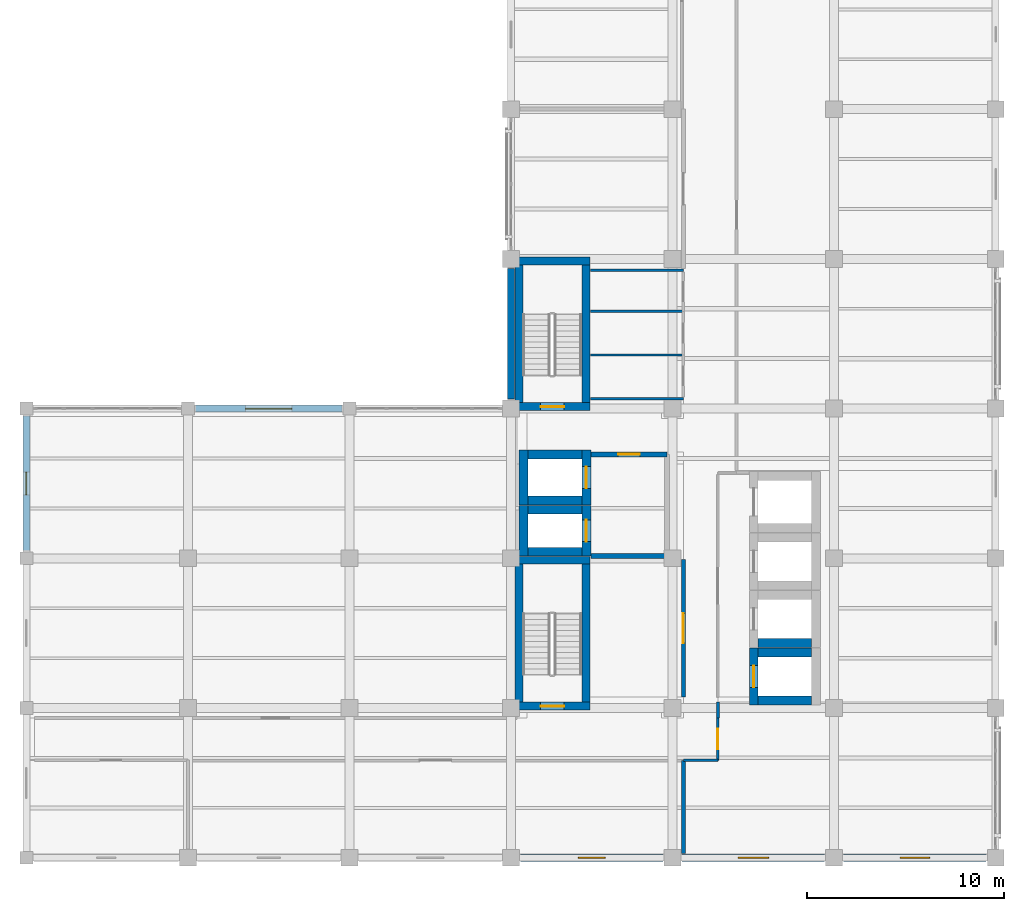
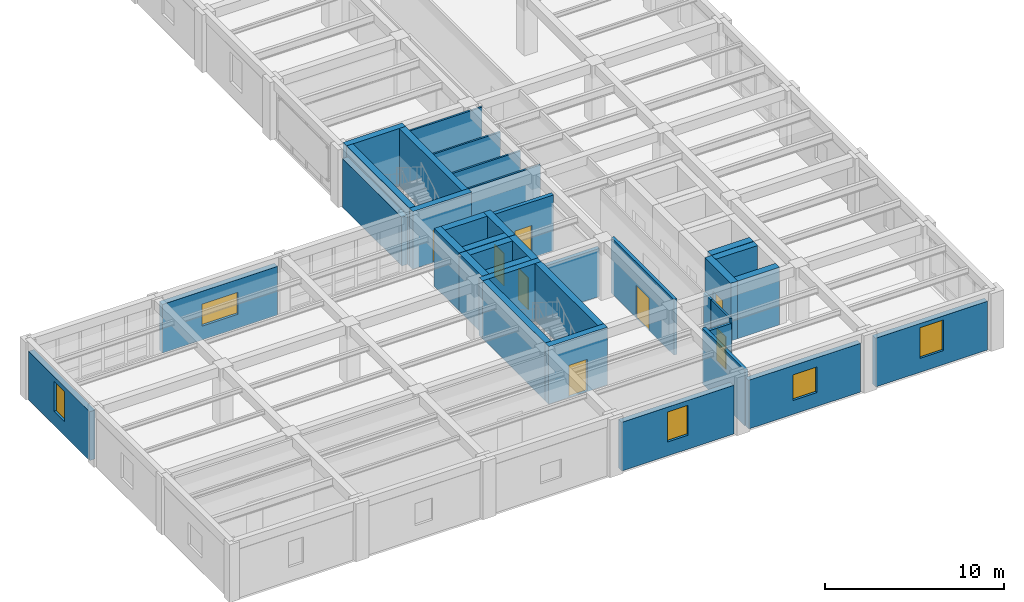
# One storey, part 9 of 17: 37 walls, 8 doors, 5 windows, 13 openings.
"""IFC4 building model written with IfcOpenShell, lengths in metres."""

from ifc_helpers import new_model, si_unit, direction, frame, frame_2d, origin, place, context, subcontext, project, spatial, rectangle, extrude, material, layer, layer_set, type_object, element, fill, save


model = new_model("IFC4")

# Units and contexts
model_context = context("Model", 3, precision=1e-05, world=origin(), true_north=direction((0.0, 1.0)))
body_context = subcontext(model_context, "Body", "Model", "MODEL_VIEW")
ifc_project = project(units=[si_unit("LENGTHUNIT", "METRE"), si_unit("AREAUNIT", "SQUARE_METRE"), si_unit("VOLUMEUNIT", "CUBIC_METRE"), si_unit("PLANEANGLEUNIT", "RADIAN"), si_unit("MASSUNIT", "GRAM", prefix="KILO")], contexts=[model_context])

# Site, building, storey
site_placement = place(None, origin())
site = spatial("IfcSite", under=ifc_project, at=site_placement, CompositionType="ELEMENT")
building_placement = place(site_placement, origin())
building = spatial("IfcBuilding", under=site, at=building_placement, Name="Qandaris Square Conservatory and Botanical Centre", CompositionType="ELEMENT")
storey_placement = place(building_placement, frame((0.0, 0.0, 28.199951171875)))
storey = spatial("IfcBuildingStorey", under=building, at=storey_placement, Name="L06", CompositionType="ELEMENT", Elevation=28.199951171875)

# Walls
ifc_material_1 = material(Name="Gypsum Plasterboard", Category="gypsum")
ifc_layer_1 = layer(ifc_material_1, 0.14990234375)
ifc_layer_set_1 = layer_set([ifc_layer_1], Name="Gypsum Plasterboard")
wall_type_1 = type_object("IfcWallType", Name="Acoustic Laboratory Partition 150mm", PredefinedType="PARTITIONING", material=ifc_layer_set_1)
wall_1_placement = place(storey_placement, frame((149.699951171875, 24.5, 0.0), z_axis=(0.0, 0.0, 1.0), x_axis=(0.0, -1.0, 0.0)))
element("IfcWall", 1, at=wall_1_placement, inside=storey, type_object=wall_type_1, Name="Interior Partition IW-L06-0252", PredefinedType="PARTITIONING", context=body_context, shape_type="SweptSolid", body=[
    extrude(rectangle(XDim=0.800048828125, YDim=0.14990234375, at=frame_2d((0.39990234375, 0.0))), origin(), (0.0, 0.0, 1.0), 3.804931640625),
])
wall_2_placement = place(storey_placement, frame((149.699951171875, 21.550048828125, 0.0), z_axis=(0.0, 0.0, 1.0), x_axis=(-1.0, 0.0, 0.0)))
element("IfcWall", 2, at=wall_2_placement, inside=storey, type_object=wall_type_1, Name="Interior Partition IW-L06-0254", PredefinedType="PARTITIONING", context=body_context, shape_type="SweptSolid", body=[
    extrude(rectangle(XDim=1.75, YDim=0.14990234375, at=frame_2d((0.875, 0.0))), origin(), (0.0, 0.0, 1.0), 3.51513671875),
])

# Wall, opening, window
ifc_material_2 = material(Name="Precast concrete C40/50", Category="concrete")
ifc_layer_2 = layer(ifc_material_2, 0.360107421875)
ifc_layer_set_2 = layer_set([ifc_layer_2], Name="Precast concrete C40/50")
wall_type_2 = type_object("IfcWallType", Name="Architectural Precast Cladding Wall 360mm", PredefinedType="SOLIDWALL", material=ifc_layer_set_2)
wall_3_placement = place(storey_placement, frame((139.68505859375, 16.60009765625, 0.0), z_axis=(0.0, 0.0, 1.0), x_axis=(1.0, 0.0, 0.0)))
wall_3 = element("IfcWall", 3, at=wall_3_placement, inside=storey, type_object=wall_type_2, Name="Exterior Wall EW-TWR-L06-1-4", PredefinedType="SOLIDWALL", context=body_context, shape_type="SweptSolid", body=[
    extrude(rectangle(XDim=7.22998046875, YDim=0.360107421875, at=frame_2d((3.614990234375, 0.0))), origin(), (0.0, 0.0, 1.0), 3.324951171875),
])
opening_1_placement = place(wall_3_placement, frame((2.93994140625, 0.0, 0.949951171875)))
opening_1 = element("IfcOpeningElement", 4, at=opening_1_placement, cuts=wall_3, Name="Opening WN-24", PredefinedType="OPENING", context=body_context, shape_type="SweptSolid", body=[
    extrude(rectangle(XDim=1.35009765625, YDim=2.050048828125, at=frame_2d((0.675048828125, 1.02490234375))), frame((0.0, 0.19189453125, 0.0), z_axis=(0.0, -1.0, 0.0), x_axis=(1.0, 0.0, 0.0)), (0.0, 0.0, 1.0), 0.384033203125),
])
ifc_material_3 = material(Name="Tempered Low-E Glass", Category="glass")
window_type_1 = type_object("IfcWindowType", Name="Solar Control Window 1350x2050", PartitioningType="SINGLE_PANEL", PredefinedType="WINDOW", material=ifc_material_3)
window_1_placement = place(opening_1_placement, origin())
window_1 = element("IfcWindow", 5, at=window_1_placement, inside=storey, type_object=window_type_1, Name="Window EW-TWR-L06-1-4", OverallHeight=2.050048828125, OverallWidth=1.35009765625, PartitioningType="SINGLE_PANEL", PredefinedType="WINDOW", context=body_context, shape_type="SweptSolid", body=[
    extrude(rectangle(XDim=1.35009765625, YDim=2.050048828125, at=frame_2d((0.675048828125, 1.02490234375))), frame((0.0, 0.030029296875, 0.0), z_axis=(0.0, -1.0, 0.0), x_axis=(1.0, 0.0, 0.0)), (0.0, 0.0, 1.0), 0.06005859375),
])
fill(opening_1, window_1)

wall_4_placement = place(storey_placement, frame((147.885009765625, 16.60009765625, 0.0), z_axis=(0.0, 0.0, 1.0), x_axis=(1.0, 0.0, 0.0)))
wall_4 = element("IfcWall", 6, at=wall_4_placement, inside=storey, type_object=wall_type_2, Name="Exterior Wall EW-TWR-L06-1-5", PredefinedType="SOLIDWALL", context=body_context, shape_type="SweptSolid", body=[
    extrude(rectangle(XDim=7.22998046875, YDim=0.360107421875, at=frame_2d((3.614990234375, 0.0))), origin(), (0.0, 0.0, 1.0), 3.324951171875),
])
opening_2_placement = place(wall_4_placement, frame((2.840087890625, 0.0, 0.949951171875)))
opening_2 = element("IfcOpeningElement", 7, at=opening_2_placement, cuts=wall_4, Name="Opening WN-27", PredefinedType="OPENING", context=body_context, shape_type="SweptSolid", body=[
    extrude(rectangle(XDim=1.550048828125, YDim=1.75, at=frame_2d((0.77490234375, 0.875))), frame((0.0, 0.19189453125, 0.0), z_axis=(0.0, -1.0, 0.0), x_axis=(1.0, 0.0, 0.0)), (0.0, 0.0, 1.0), 0.384033203125),
])
window_type_2 = type_object("IfcWindowType", Name="Solar Control Window 1550x1750", PartitioningType="DOUBLE_PANEL_VERTICAL", PredefinedType="WINDOW", material=ifc_material_3)
window_2_placement = place(opening_2_placement, origin())
window_2 = element("IfcWindow", 8, at=window_2_placement, inside=storey, type_object=window_type_2, Name="Window EW-TWR-L06-1-5", OverallHeight=1.75, OverallWidth=1.550048828125, PartitioningType="DOUBLE_PANEL_VERTICAL", PredefinedType="WINDOW", context=body_context, shape_type="SweptSolid", body=[
    extrude(rectangle(XDim=1.550048828125, YDim=1.75, at=frame_2d((0.77490234375, 0.875))), frame((0.0, 0.030029296875, 0.0), z_axis=(0.0, -1.0, 0.0), x_axis=(1.0, 0.0, 0.0)), (0.0, 0.0, 1.0), 0.06005859375),
])
fill(opening_2, window_2)

wall_5_placement = place(storey_placement, frame((156.0849609375, 16.60009765625, 0.0), z_axis=(0.0, 0.0, 1.0), x_axis=(1.0, 0.0, 0.0)))
wall_5 = element("IfcWall", 9, at=wall_5_placement, inside=storey, type_object=wall_type_2, Name="Exterior Wall EW-TWR-L06-1-6", PredefinedType="SOLIDWALL", context=body_context, shape_type="SweptSolid", body=[
    extrude(rectangle(XDim=7.22998046875, YDim=0.360107421875, at=frame_2d((3.614990234375, 0.0))), origin(), (0.0, 0.0, 1.0), 3.324951171875),
])
opening_3_placement = place(wall_5_placement, frame((2.864990234375, 0.0, 0.949951171875)))
opening_3 = element("IfcOpeningElement", 10, at=opening_3_placement, cuts=wall_5, Name="Opening WN-02", PredefinedType="OPENING", context=body_context, shape_type="SweptSolid", body=[
    extrude(rectangle(XDim=1.5, YDim=2.10009765625, at=frame_2d((0.75, 1.050048828125))), frame((0.0, 0.19189453125, 0.0), z_axis=(0.0, -1.0, 0.0), x_axis=(1.0, 0.0, 0.0)), (0.0, 0.0, 1.0), 0.384033203125),
])
window_type_3 = type_object("IfcWindowType", Name="Deep-Set Paired Research Window 1500x2100", PartitioningType="DOUBLE_PANEL_VERTICAL", PredefinedType="WINDOW", material=ifc_material_3)
window_3_placement = place(opening_3_placement, origin())
window_3 = element("IfcWindow", 11, at=window_3_placement, inside=storey, type_object=window_type_3, Name="Window EW-TWR-L06-1-6", OverallHeight=2.10009765625, OverallWidth=1.5, PartitioningType="DOUBLE_PANEL_VERTICAL", PredefinedType="WINDOW", context=body_context, shape_type="SweptSolid", body=[
    extrude(rectangle(XDim=1.5, YDim=2.10009765625, at=frame_2d((0.75, 1.050048828125))), frame((0.0, 0.030029296875, 0.0), z_axis=(0.0, -1.0, 0.0), x_axis=(1.0, 0.0, 0.0)), (0.0, 0.0, 1.0), 0.06005859375),
])
fill(opening_3, window_3)

# Wall
wall_6_placement = place(storey_placement, frame((139.199951171875, 46.514892578125, 0.0), z_axis=(0.0, 0.0, 1.0), x_axis=(0.0, -1.0, 0.0)))
element("IfcWall", 12, at=wall_6_placement, inside=storey, type_object=wall_type_2, Name="Exterior Wall EW-TWR-L06-4-5", PredefinedType="SOLIDWALL", context=body_context, shape_type="SweptSolid", body=[
    extrude(rectangle(XDim=6.6298828125, YDim=0.360107421875, at=frame_2d((3.31494140625, 0.0))), origin(), (0.0, 0.0, 1.0), 3.324951171875),
])

# Wall, opening, window
wall_7_placement = place(storey_placement, frame((130.614990234375, 39.39990234375, 0.0), z_axis=(0.0, 0.0, 1.0), x_axis=(-1.0, 0.0, 0.0)))
wall_7 = element("IfcWall", 13, at=wall_7_placement, inside=storey, type_object=wall_type_2, Name="Exterior Wall EW-TWR-L06-5-2", PredefinedType="SOLIDWALL", context=body_context, shape_type="SweptSolid", body=[
    extrude(rectangle(XDim=7.429931640625, YDim=0.360107421875, at=frame_2d((3.71484375, 0.0))), origin(), (0.0, 0.0, 1.0), 3.324951171875),
])
opening_4_placement = place(wall_7_placement, frame((2.5400390625, 0.0, 0.949951171875)))
opening_4 = element("IfcOpeningElement", 14, at=opening_4_placement, cuts=wall_7, Name="Opening WN-38", PredefinedType="OPENING", context=body_context, shape_type="SweptSolid", body=[
    extrude(rectangle(XDim=2.35009765625, YDim=1.5, at=frame_2d((1.175048828125, 0.75))), frame((0.0, 0.19189453125, 0.0), z_axis=(0.0, -1.0, 0.0), x_axis=(1.0, 0.0, 0.0)), (0.0, 0.0, 1.0), 0.384033203125),
])
window_type_4 = type_object("IfcWindowType", Name="Solar Control Window 2350x1500", PartitioningType="DOUBLE_PANEL_VERTICAL", PredefinedType="WINDOW", material=ifc_material_3)
window_4_placement = place(opening_4_placement, origin())
window_4 = element("IfcWindow", 15, at=window_4_placement, inside=storey, type_object=window_type_4, Name="Window EW-TWR-L06-5-2", OverallHeight=1.5, OverallWidth=2.35009765625, PartitioningType="DOUBLE_PANEL_VERTICAL", PredefinedType="WINDOW", context=body_context, shape_type="SweptSolid", body=[
    extrude(rectangle(XDim=2.35009765625, YDim=1.5, at=frame_2d((1.175048828125, 0.75))), frame((0.0, 0.030029296875, 0.0), z_axis=(0.0, -1.0, 0.0), x_axis=(1.0, 0.0, 0.0)), (0.0, 0.0, 1.0), 0.06005859375),
])
fill(opening_4, window_4)

wall_8_placement = place(storey_placement, frame((114.60009765625, 39.014892578125, 0.0), z_axis=(0.0, 0.0, 1.0), x_axis=(0.0, -1.0, 0.0)))
wall_8 = element("IfcWall", 16, at=wall_8_placement, inside=storey, type_object=wall_type_2, Name="Exterior Wall EW-TWR-L06-6-1", PredefinedType="SOLIDWALL", context=body_context, shape_type="SweptSolid", body=[
    extrude(rectangle(XDim=6.829833984375, YDim=0.360107421875, at=frame_2d((3.4150390625, 0.0))), origin(), (0.0, 0.0, 1.0), 3.324951171875),
])
opening_5_placement = place(wall_8_placement, frame((2.840087890625, 0.0, 0.949951171875)))
opening_5 = element("IfcOpeningElement", 17, at=opening_5_placement, cuts=wall_8, Name="Opening WN-20", PredefinedType="OPENING", context=body_context, shape_type="SweptSolid", body=[
    extrude(rectangle(XDim=1.14990234375, YDim=2.050048828125, at=frame_2d((0.574951171875, 1.02490234375))), frame((0.0, 0.19189453125, 0.0), z_axis=(0.0, -1.0, 0.0), x_axis=(1.0, 0.0, 0.0)), (0.0, 0.0, 1.0), 0.384033203125),
])
window_type_5 = type_object("IfcWindowType", Name="Solar Control Window 1150x2050", PartitioningType="SINGLE_PANEL", PredefinedType="WINDOW", material=ifc_material_3)
window_5_placement = place(opening_5_placement, origin())
window_5 = element("IfcWindow", 18, at=window_5_placement, inside=storey, type_object=window_type_5, Name="Window EW-TWR-L06-6-1", OverallHeight=2.050048828125, OverallWidth=1.14990234375, PartitioningType="SINGLE_PANEL", PredefinedType="WINDOW", context=body_context, shape_type="SweptSolid", body=[
    extrude(rectangle(XDim=1.14990234375, YDim=2.050048828125, at=frame_2d((0.574951171875, 1.02490234375))), frame((0.0, 0.030029296875, 0.0), z_axis=(0.0, -1.0, 0.0), x_axis=(1.0, 0.0, 0.0)), (0.0, 0.0, 1.0), 0.06005859375),
])
fill(opening_5, window_5)

# Wall, opening, door
ifc_material_4 = material(Name="Concrete C40/50", Category="concrete")
ifc_layer_3 = layer(ifc_material_4, 0.25)
ifc_layer_set_3 = layer_set([ifc_layer_3], Name="Concrete C40/50")
wall_type_3 = type_object("IfcWallType", Name="Firefighting Lobby Compartment Wall 250mm", PredefinedType="SOLIDWALL", material=ifc_layer_set_3)
wall_9_placement = place(storey_placement, frame((143.25, 37.074951171875, 0.0), z_axis=(0.0, 0.0, 1.0), x_axis=(1.0, 0.0, 0.0)))
wall_9 = element("IfcWall", 19, at=wall_9_placement, inside=storey, type_object=wall_type_3, Name="Firefighting Lobby Wall North (L06)", PredefinedType="SOLIDWALL", context=body_context, shape_type="SweptSolid", body=[
    extrude(rectangle(XDim=3.875, YDim=0.25, at=frame_2d((1.9375, 0.0))), origin(), (0.0, 0.0, 1.0), 3.804931640625),
])
opening_6_placement = place(wall_9_placement, frame((1.387451171875, 0.0, 0.0)))
opening_6 = element("IfcOpeningElement", 20, at=opening_6_placement, cuts=wall_9, Name="Opening D-FFL", PredefinedType="OPENING", context=body_context, shape_type="SweptSolid", body=[
    extrude(rectangle(XDim=1.10009765625, YDim=2.199951171875, at=frame_2d((0.550048828125, 1.10009765625))), frame((0.0, 0.136962890625, 0.0), z_axis=(0.0, -1.0, 0.0), x_axis=(1.0, 0.0, 0.0)), (0.0, 0.0, 1.0), 0.27392578125),
])
ifc_material_5 = material(Name="Steel S355", Category="steel")
door_type_1 = type_object("IfcDoorType", Name="Firefighting Lobby Smoke-Seal Door 1100x2200", OperationType="NOTDEFINED", PredefinedType="DOOR", material=ifc_material_5)
door_1_placement = place(opening_6_placement, origin())
door_1 = element("IfcDoor", 21, at=door_1_placement, inside=storey, type_object=door_type_1, Name="DR-0222 Firefighting Lobby Door (L06)", OperationType="SINGLE_SWING_LEFT", OverallHeight=2.199951171875, OverallWidth=1.10009765625, PredefinedType="DOOR", context=body_context, shape_type="SweptSolid", body=[
    extrude(rectangle(XDim=1.10009765625, YDim=2.199951171875, at=frame_2d((0.550048828125, 1.10009765625))), frame((0.0, 0.02490234375, 0.0), z_axis=(0.0, -1.0, 0.0), x_axis=(1.0, 0.0, 0.0)), (0.0, 0.0, 1.0), 0.050048828125),
])
fill(opening_6, door_1)

# Wall
wall_10_placement = place(storey_placement, frame((143.25, 31.925048828125, 0.0), z_axis=(0.0, 0.0, 1.0), x_axis=(1.0, 0.0, 0.0)))
element("IfcWall", 22, at=wall_10_placement, inside=storey, type_object=wall_type_3, Name="Firefighting Lobby Wall South (L06)", PredefinedType="SOLIDWALL", context=body_context, shape_type="SweptSolid", body=[
    extrude(rectangle(XDim=3.875, YDim=0.25, at=frame_2d((1.9375, 0.0))), origin(), (0.0, 0.0, 1.0), 3.275146484375),
])

# Wall, opening, door
ifc_layer_4 = layer(ifc_material_4, 0.199951171875)
ifc_layer_set_4 = layer_set([ifc_layer_4], Name="Concrete C40/50")
wall_type_4 = type_object("IfcWallType", Name="Herbarium & Plant Compartment Wall 200mm", PredefinedType="PARTITIONING", material=ifc_layer_set_4)
wall_11_placement = place(storey_placement, frame((147.949951171875, 31.75, 0.0), z_axis=(0.0, 0.0, 1.0), x_axis=(0.0, -1.0, 0.0)))
wall_11 = element("IfcWall", 23, at=wall_11_placement, inside=storey, type_object=wall_type_4, Name="Interior Partition IW-L06-0241", PredefinedType="PARTITIONING", context=body_context, shape_type="SweptSolid", body=[
    extrude(rectangle(XDim=7.0, YDim=0.199951171875, at=frame_2d((3.5, 0.0))), origin(), (0.0, 0.0, 1.0), 3.804931640625),
])
opening_7_placement = place(wall_11_placement, frame((2.75, 0.0, 0.0)))
opening_7 = element("IfcOpeningElement", 24, at=opening_7_placement, cuts=wall_11, Name="Opening D-PLT1", PredefinedType="OPENING", context=body_context, shape_type="SweptSolid", body=[
    extrude(rectangle(XDim=1.5, YDim=2.199951171875, at=frame_2d((0.75, 1.10009765625))), frame((0.0, 0.11181640625, 0.0), z_axis=(0.0, -1.0, 0.0), x_axis=(1.0, 0.0, 0.0)), (0.0, 0.0, 1.0), 0.223876953125),
])
door_type_2 = type_object("IfcDoorType", Name="Plant & Riser Double Fire Door 1500x2200", OperationType="DOUBLE_DOOR_SINGLE_SWING", PredefinedType="DOOR", material=ifc_material_5)
door_2_placement = place(opening_7_placement, origin())
door_2 = element("IfcDoor", 25, at=door_2_placement, inside=storey, type_object=door_type_2, Name="DR-0232 Electrical and Telecom Riser Room L06 Door", OperationType="DOUBLE_DOOR_SINGLE_SWING", OverallHeight=2.199951171875, OverallWidth=1.5, PredefinedType="DOOR", context=body_context, shape_type="SweptSolid", body=[
    extrude(rectangle(XDim=1.5, YDim=2.199951171875, at=frame_2d((0.75, 1.10009765625))), frame((0.0, 0.02490234375, 0.0), z_axis=(0.0, -1.0, 0.0), x_axis=(1.0, 0.0, 0.0)), (0.0, 0.0, 1.0), 0.050048828125),
])
fill(opening_7, door_2)

# Walls
wall_12_placement = place(storey_placement, frame((147.949951171875, 21.550048828125, 0.0), z_axis=(0.0, 0.0, 1.0), x_axis=(0.0, -1.0, 0.0)))
element("IfcWall", 26, at=wall_12_placement, inside=storey, type_object=wall_type_4, Name="Interior Partition IW-L06-0262", PredefinedType="PARTITIONING", context=body_context, shape_type="SweptSolid", body=[
    extrude(rectangle(XDim=4.739990234375, YDim=0.199951171875, at=frame_2d((2.3701171875, 0.0))), origin(), (0.0, 0.0, 1.0), 3.804931640625),
])
ifc_material_6 = material(Name="Concrete C50/60", Category="concrete")
ifc_layer_5 = layer(ifc_material_6, 0.449951171875)
ifc_layer_set_5 = layer_set([ifc_layer_5], Name="Concrete C50/60")
wall_type_5 = type_object("IfcWallType", Name="RC Coupled Core Shear Wall 450mm", PredefinedType="SHEAR", material=ifc_layer_set_5)
for number, where, z_axis, x_axis, name in (
    (27, (140.06005859375, 32.135009765625, 0.0), (0.0, 0.0, 1.0), (1.0, 0.0, 0.0), "Lift FFL1 Shaft Wall South (L06)"),
    (28, (140.06005859375, 34.264892578125, 0.0), (0.0, 0.0, 1.0), (1.0, 0.0, 0.0), "Lift FFL1 Shaft Wall North (L06)"),
):
    element("IfcWall", number, at=place(storey_placement, frame(where, z_axis=z_axis, x_axis=x_axis)), inside=storey, type_object=wall_type_5, Name=name, PredefinedType="SHEAR", context=body_context, shape_type="SweptSolid", body=[
        extrude(rectangle(XDim=2.739990234375, YDim=0.449951171875, at=frame_2d((1.3701171875, 0.0))), origin(), (0.0, 0.0, 1.0), 3.93994140625),
    ])
wall_13_placement = place(storey_placement, frame((139.8349609375, 31.909912109375, 0.0), z_axis=(0.0, 0.0, 1.0), x_axis=(0.0, 1.0, 0.0)))
element("IfcWall", 29, at=wall_13_placement, inside=storey, type_object=wall_type_5, Name="Lift FFL1 Shaft Wall West (L06)", PredefinedType="SHEAR", context=body_context, shape_type="SweptSolid", body=[
    extrude(rectangle(XDim=2.580078125, YDim=0.449951171875, at=frame_2d((1.2900390625, 0.0))), origin(), (0.0, 0.0, 1.0), 3.93994140625),
])

# Wall, opening, door
wall_14_placement = place(storey_placement, frame((143.02490234375, 31.909912109375, 0.0), z_axis=(0.0, 0.0, 1.0), x_axis=(0.0, 1.0, 0.0)))
wall_14 = element("IfcWall", 30, at=wall_14_placement, inside=storey, type_object=wall_type_5, Name="Lift FFL1 Shaft Wall East (L06)", PredefinedType="SHEAR", context=body_context, shape_type="SweptSolid", body=[
    extrude(rectangle(XDim=2.580078125, YDim=0.449951171875, at=frame_2d((1.2900390625, 0.0))), origin(), (0.0, 0.0, 1.0), 3.93994140625),
])
opening_8_placement = place(wall_14_placement, frame((0.739990234375, 0.0, 0.0)))
opening_8 = element("IfcOpeningElement", 31, at=opening_8_placement, cuts=wall_14, Name="Opening LD-FFL", PredefinedType="OPENING", context=body_context, shape_type="SweptSolid", body=[
    extrude(rectangle(XDim=1.10009765625, YDim=2.199951171875, at=frame_2d((0.550048828125, 1.10009765625))), frame((0.0, 0.23681640625, 0.0), z_axis=(0.0, -1.0, 0.0), x_axis=(1.0, 0.0, 0.0)), (0.0, 0.0, 1.0), 0.473876953125),
])
door_type_3 = type_object("IfcDoorType", Name="Firefighting Lift Sliding Landing Door 1100x2200", OperationType="DOUBLE_DOOR_SLIDING", PredefinedType="DOOR", material=ifc_material_5)
door_3_placement = place(opening_8_placement, origin())
door_3 = element("IfcDoor", 32, at=door_3_placement, inside=storey, type_object=door_type_3, Name="DR-0239 Lift FFL1 Landing Door (L06)", OperationType="DOUBLE_DOOR_SLIDING", OverallHeight=2.199951171875, OverallWidth=1.10009765625, PredefinedType="DOOR", context=body_context, shape_type="SweptSolid", body=[
    extrude(rectangle(XDim=1.10009765625, YDim=2.199951171875, at=frame_2d((0.550048828125, 1.10009765625))), frame((0.0, 0.02490234375, 0.0), z_axis=(0.0, -1.0, 0.0), x_axis=(1.0, 0.0, 0.0)), (0.0, 0.0, 1.0), 0.050048828125),
])
fill(opening_8, door_3)

# Walls
for number, where, z_axis, x_axis, name in (
    (33, (140.06005859375, 34.735107421875, 0.0), (0.0, 0.0, 1.0), (1.0, 0.0, 0.0), "Lift FFL2 Shaft Wall South (L06)"),
    (34, (140.06005859375, 37.06494140625, 0.0), (0.0, 0.0, 1.0), (1.0, 0.0, 0.0), "Lift FFL2 Shaft Wall North (L06)"),
):
    element("IfcWall", number, at=place(storey_placement, frame(where, z_axis=z_axis, x_axis=x_axis)), inside=storey, type_object=wall_type_5, Name=name, PredefinedType="SHEAR", context=body_context, shape_type="SweptSolid", body=[
        extrude(rectangle(XDim=2.739990234375, YDim=0.449951171875, at=frame_2d((1.3701171875, 0.0))), origin(), (0.0, 0.0, 1.0), 3.93994140625),
    ])
wall_15_placement = place(storey_placement, frame((139.8349609375, 34.510009765625, 0.0), z_axis=(0.0, 0.0, 1.0), x_axis=(0.0, 1.0, 0.0)))
element("IfcWall", 35, at=wall_15_placement, inside=storey, type_object=wall_type_5, Name="Lift FFL2 Shaft Wall West (L06)", PredefinedType="SHEAR", context=body_context, shape_type="SweptSolid", body=[
    extrude(rectangle(XDim=2.780029296875, YDim=0.449951171875, at=frame_2d((1.39013671875, 0.0))), origin(), (0.0, 0.0, 1.0), 3.93994140625),
])

# Wall, opening, door
wall_16_placement = place(storey_placement, frame((143.02490234375, 34.510009765625, 0.0), z_axis=(0.0, 0.0, 1.0), x_axis=(0.0, 1.0, 0.0)))
wall_16 = element("IfcWall", 36, at=wall_16_placement, inside=storey, type_object=wall_type_5, Name="Lift FFL2 Shaft Wall East (L06)", PredefinedType="SHEAR", context=body_context, shape_type="SweptSolid", body=[
    extrude(rectangle(XDim=2.780029296875, YDim=0.449951171875, at=frame_2d((1.39013671875, 0.0))), origin(), (0.0, 0.0, 1.0), 3.93994140625),
])
opening_9_placement = place(wall_16_placement, frame((0.840087890625, 0.0, 0.0)))
opening_9 = element("IfcOpeningElement", 37, at=opening_9_placement, cuts=wall_16, Name="Opening LD-FFL", PredefinedType="OPENING", context=body_context, shape_type="SweptSolid", body=[
    extrude(rectangle(XDim=1.10009765625, YDim=2.199951171875, at=frame_2d((0.550048828125, 1.10009765625))), frame((0.0, 0.23681640625, 0.0), z_axis=(0.0, -1.0, 0.0), x_axis=(1.0, 0.0, 0.0)), (0.0, 0.0, 1.0), 0.473876953125),
])
door_4_placement = place(opening_9_placement, origin())
door_4 = element("IfcDoor", 38, at=door_4_placement, inside=storey, type_object=door_type_3, Name="DR-0240 Lift FFL2 Landing Door (L06)", OperationType="DOUBLE_DOOR_SLIDING", OverallHeight=2.199951171875, OverallWidth=1.10009765625, PredefinedType="DOOR", context=body_context, shape_type="SweptSolid", body=[
    extrude(rectangle(XDim=1.10009765625, YDim=2.199951171875, at=frame_2d((0.550048828125, 1.10009765625))), frame((0.0, 0.02490234375, 0.0), z_axis=(0.0, -1.0, 0.0), x_axis=(1.0, 0.0, 0.0)), (0.0, 0.0, 1.0), 0.050048828125),
])
fill(opening_9, door_4)

# Walls
for number, where, z_axis, x_axis, name in (
    (39, (151.75, 24.574951171875, 0.0), (0.0, 0.0, 1.0), (1.0, 0.0, 0.0), "Lift PL1 Shaft Wall South (L06)"),
    (40, (151.75, 27.02490234375, 0.0), (0.0, 0.0, 1.0), (1.0, 0.0, 0.0), "Lift PL1 Shaft Wall North (L06)"),
):
    element("IfcWall", number, at=place(storey_placement, frame(where, z_axis=z_axis, x_axis=x_axis)), inside=storey, type_object=wall_type_5, Name=name, PredefinedType="SHEAR", context=body_context, shape_type="SweptSolid", body=[
        extrude(rectangle(XDim=2.699951171875, YDim=0.449951171875, at=frame_2d((1.35009765625, 0.0))), origin(), (0.0, 0.0, 1.0), 3.93994140625),
    ])

# Wall, opening, door
wall_17_placement = place(storey_placement, frame((151.52490234375, 24.35009765625, 0.0), z_axis=(0.0, 0.0, 1.0), x_axis=(0.0, 1.0, 0.0)))
wall_17 = element("IfcWall", 41, at=wall_17_placement, inside=storey, type_object=wall_type_5, Name="Lift PL1 Shaft Wall West (L06)", PredefinedType="SHEAR", context=body_context, shape_type="SweptSolid", body=[
    extrude(rectangle(XDim=2.89990234375, YDim=0.449951171875, at=frame_2d((1.449951171875, 0.0))), origin(), (0.0, 0.0, 1.0), 3.93994140625),
])
opening_10_placement = place(wall_17_placement, frame((0.89990234375, 0.0, 0.0)))
opening_10 = element("IfcOpeningElement", 42, at=opening_10_placement, cuts=wall_17, Name="Opening LD-PAX", PredefinedType="OPENING", context=body_context, shape_type="SweptSolid", body=[
    extrude(rectangle(XDim=1.10009765625, YDim=2.199951171875, at=frame_2d((0.550048828125, 1.10009765625))), frame((0.0, 0.23681640625, 0.0), z_axis=(0.0, -1.0, 0.0), x_axis=(1.0, 0.0, 0.0)), (0.0, 0.0, 1.0), 0.473876953125),
])
ifc_material_7 = material(Name="Anodised Aluminium", Category="aluminium")
door_type_4 = type_object("IfcDoorType", Name="Passenger Lift Sliding Landing Door 1100x2200", OperationType="DOUBLE_DOOR_SLIDING", PredefinedType="DOOR", material=ifc_material_7)
door_5_placement = place(opening_10_placement, origin())
door_5 = element("IfcDoor", 43, at=door_5_placement, inside=storey, type_object=door_type_4, Name="DR-0242 Lift PL1 Landing Door (L06)", OperationType="DOUBLE_DOOR_SLIDING", OverallHeight=2.199951171875, OverallWidth=1.10009765625, PredefinedType="DOOR", context=body_context, shape_type="SweptSolid", body=[
    extrude(rectangle(XDim=1.10009765625, YDim=2.199951171875, at=frame_2d((0.550048828125, 1.10009765625))), frame((0.0, 0.02490234375, 0.0), z_axis=(0.0, -1.0, 0.0), x_axis=(1.0, 0.0, 0.0)), (0.0, 0.0, 1.0), 0.050048828125),
])
fill(opening_10, door_5)

# Wall
wall_18_placement = place(storey_placement, frame((151.75, 27.4951171875, 0.0), z_axis=(0.0, 0.0, 1.0), x_axis=(1.0, 0.0, 0.0)))
element("IfcWall", 44, at=wall_18_placement, inside=storey, type_object=wall_type_5, Name="Lift PL2 Shaft Wall South (L06)", PredefinedType="SHEAR", context=body_context, shape_type="SweptSolid", body=[
    extrude(rectangle(XDim=2.699951171875, YDim=0.449951171875, at=frame_2d((1.35009765625, 0.0))), origin(), (0.0, 0.0, 1.0), 3.93994140625),
])

# Wall, opening, door
ifc_layer_6 = layer(ifc_material_6, 0.39990234375)
ifc_layer_set_6 = layer_set([ifc_layer_6], Name="Concrete C50/60")
wall_type_6 = type_object("IfcWallType", Name="RC Stair Core Shear Wall 400mm", PredefinedType="SHEAR", material=ifc_layer_set_6)
wall_19_placement = place(storey_placement, frame((139.39990234375, 24.300048828125, 0.0), z_axis=(0.0, 0.0, 1.0), x_axis=(1.0, 0.0, 0.0)))
wall_19 = element("IfcWall", 45, at=wall_19_placement, inside=storey, type_object=wall_type_6, Name="ST-1 Core Shear Wall South (L06)", PredefinedType="SHEAR", context=body_context, shape_type="SweptSolid", body=[
    extrude(rectangle(XDim=3.800048828125, YDim=0.39990234375, at=frame_2d((1.89990234375, 0.0))), origin(), (0.0, 0.0, 1.0), 3.93994140625),
])
opening_11_placement = place(wall_19_placement, frame((1.300048828125, 0.0, 0.0)))
opening_11 = element("IfcOpeningElement", 46, at=opening_11_placement, cuts=wall_19, Name="Opening D-ST1", PredefinedType="OPENING", context=body_context, shape_type="SweptSolid", body=[
    extrude(rectangle(XDim=1.199951171875, YDim=2.199951171875, at=frame_2d((0.60009765625, 1.10009765625))), frame((0.0, 0.2119140625, 0.0), z_axis=(0.0, -1.0, 0.0), x_axis=(1.0, 0.0, 0.0)), (0.0, 0.0, 1.0), 0.423828125),
])
door_type_5 = type_object("IfcDoorType", Name="Exit Stair Core Fire Door 1200x2200", OperationType="NOTDEFINED", PredefinedType="DOOR", material=ifc_material_5)
door_6_placement = place(opening_11_placement, origin())
door_6 = element("IfcDoor", 47, at=door_6_placement, inside=storey, type_object=door_type_5, Name="DR-0233 ST-1 Stair Core Door (L06)", OperationType="SINGLE_SWING_RIGHT", OverallHeight=2.199951171875, OverallWidth=1.199951171875, PredefinedType="DOOR", context=body_context, shape_type="SweptSolid", body=[
    extrude(rectangle(XDim=1.199951171875, YDim=2.199951171875, at=frame_2d((0.60009765625, 1.10009765625))), frame((0.0, 0.02490234375, 0.0), z_axis=(0.0, -1.0, 0.0), x_axis=(1.0, 0.0, 0.0)), (0.0, 0.0, 1.0), 0.050048828125),
])
fill(opening_11, door_6)

# Walls
wall_20_placement = place(storey_placement, frame((139.39990234375, 31.699951171875, 0.0), z_axis=(0.0, 0.0, 1.0), x_axis=(1.0, 0.0, 0.0)))
element("IfcWall", 48, at=wall_20_placement, inside=storey, type_object=wall_type_6, Name="ST-1 Core Shear Wall North (L06)", PredefinedType="SHEAR", context=body_context, shape_type="SweptSolid", body=[
    extrude(rectangle(XDim=3.800048828125, YDim=0.39990234375, at=frame_2d((1.89990234375, 0.0))), origin(), (0.0, 0.0, 1.0), 3.93994140625),
])
for number, where, z_axis, x_axis, name in (
    (49, (139.60009765625, 24.5, 0.0), (0.0, 0.0, 1.0), (0.0, 1.0, 0.0), "ST-1 Core Shear Wall West (L06)"),
    (50, (143.0, 24.5, 0.0), (0.0, 0.0, 1.0), (0.0, 1.0, 0.0), "ST-1 Core Shear Wall East (L06)"),
):
    element("IfcWall", number, at=place(storey_placement, frame(where, z_axis=z_axis, x_axis=x_axis)), inside=storey, type_object=wall_type_6, Name=name, PredefinedType="SHEAR", context=body_context, shape_type="SweptSolid", body=[
        extrude(rectangle(XDim=7.0, YDim=0.39990234375, at=frame_2d((3.5, 0.0))), origin(), (0.0, 0.0, 1.0), 3.93994140625),
    ])

# Wall, opening, door
wall_21_placement = place(storey_placement, frame((139.39990234375, 39.5, 0.0), z_axis=(0.0, 0.0, 1.0), x_axis=(1.0, 0.0, 0.0)))
wall_21 = element("IfcWall", 51, at=wall_21_placement, inside=storey, type_object=wall_type_6, Name="ST-2 Core Shear Wall South (L06)", PredefinedType="SHEAR", context=body_context, shape_type="SweptSolid", body=[
    extrude(rectangle(XDim=3.800048828125, YDim=0.39990234375, at=frame_2d((1.89990234375, 0.0))), origin(), (0.0, 0.0, 1.0), 3.93994140625),
])
opening_12_placement = place(wall_21_placement, frame((1.300048828125, 0.0, 0.0)))
opening_12 = element("IfcOpeningElement", 52, at=opening_12_placement, cuts=wall_21, Name="Opening D-ST1", PredefinedType="OPENING", context=body_context, shape_type="SweptSolid", body=[
    extrude(rectangle(XDim=1.199951171875, YDim=2.199951171875, at=frame_2d((0.60009765625, 1.10009765625))), frame((0.0, 0.2119140625, 0.0), z_axis=(0.0, -1.0, 0.0), x_axis=(1.0, 0.0, 0.0)), (0.0, 0.0, 1.0), 0.423828125),
])
door_7_placement = place(opening_12_placement, origin())
door_7 = element("IfcDoor", 53, at=door_7_placement, inside=storey, type_object=door_type_5, Name="DR-0234 ST-2 Stair Core Door (L06)", OperationType="SINGLE_SWING_RIGHT", OverallHeight=2.199951171875, OverallWidth=1.199951171875, PredefinedType="DOOR", context=body_context, shape_type="SweptSolid", body=[
    extrude(rectangle(XDim=1.199951171875, YDim=2.199951171875, at=frame_2d((0.60009765625, 1.10009765625))), frame((0.0, 0.02490234375, 0.0), z_axis=(0.0, -1.0, 0.0), x_axis=(1.0, 0.0, 0.0)), (0.0, 0.0, 1.0), 0.050048828125),
])
fill(opening_12, door_7)

# Walls
wall_22_placement = place(storey_placement, frame((139.39990234375, 46.89990234375, 0.0), z_axis=(0.0, 0.0, 1.0), x_axis=(1.0, 0.0, 0.0)))
element("IfcWall", 54, at=wall_22_placement, inside=storey, type_object=wall_type_6, Name="ST-2 Core Shear Wall North (L06)", PredefinedType="SHEAR", context=body_context, shape_type="SweptSolid", body=[
    extrude(rectangle(XDim=3.800048828125, YDim=0.39990234375, at=frame_2d((1.89990234375, 0.0))), origin(), (0.0, 0.0, 1.0), 3.93994140625),
])
for number, where, z_axis, x_axis, name in (
    (55, (139.60009765625, 39.699951171875, 0.0), (0.0, 0.0, 1.0), (0.0, 1.0, 0.0), "ST-2 Core Shear Wall West (L06)"),
    (56, (143.0, 39.699951171875, 0.0), (0.0, 0.0, 1.0), (0.0, 1.0, 0.0), "ST-2 Core Shear Wall East (L06)"),
):
    element("IfcWall", number, at=place(storey_placement, frame(where, z_axis=z_axis, x_axis=x_axis)), inside=storey, type_object=wall_type_6, Name=name, PredefinedType="SHEAR", context=body_context, shape_type="SweptSolid", body=[
        extrude(rectangle(XDim=7.0, YDim=0.39990234375, at=frame_2d((3.5, 0.0))), origin(), (0.0, 0.0, 1.0), 3.93994140625),
    ])
ifc_layer_7 = layer(ifc_material_1, 0.1201171875)
ifc_layer_set_7 = layer_set([ifc_layer_7], Name="Gypsum Plasterboard")
wall_type_7 = type_object("IfcWallType", Name="Standard Research Partition 120mm", PredefinedType="PARTITIONING", material=ifc_layer_set_7)
for number, where, z_axis, x_axis, name in (
    (57, (143.22998046875, 39.89990234375, 0.0), (0.0, 0.0, 1.0), (1.0, 0.0, 0.0), "Sanitary Toilet Partition Wall WCW-L06-SOUTH1"),
    (58, (143.22998046875, 46.419921875, 0.0), (0.0, 0.0, 1.0), (1.0, 0.0, 0.0), "Sanitary Toilet Partition Wall WCW-L06-NORTH1"),
):
    element("IfcWall", number, at=place(storey_placement, frame(where, z_axis=z_axis, x_axis=x_axis)), inside=storey, type_object=wall_type_7, Name=name, PredefinedType="PARTITIONING", context=body_context, shape_type="SweptSolid", body=[
        extrude(rectangle(XDim=4.719970703125, YDim=0.1201171875, at=frame_2d((2.35986328125, 0.0))), origin(), (0.0, 0.0, 1.0), 3.804931640625),
    ])
wall_23_placement = place(storey_placement, frame((143.22998046875, 42.1201171875, 0.0), z_axis=(0.0, 0.0, 1.0), x_axis=(1.0, 0.0, 0.0)))
element("IfcWall", 59, at=wall_23_placement, inside=storey, type_object=wall_type_7, Name="Interior Partition IW-L06-0245", PredefinedType="PARTITIONING", context=body_context, shape_type="SweptSolid", body=[
    extrude(rectangle(XDim=4.719970703125, YDim=0.1201171875, at=frame_2d((2.35986328125, 0.0))), origin(), (0.0, 0.0, 1.0), 3.4150390625),
])
wall_24_placement = place(storey_placement, frame((143.22998046875, 44.340087890625, 0.0), z_axis=(0.0, 0.0, 1.0), x_axis=(1.0, 0.0, 0.0)))
element("IfcWall", 60, at=wall_24_placement, inside=storey, type_object=wall_type_7, Name="Interior Partition IW-L06-0247", PredefinedType="PARTITIONING", context=body_context, shape_type="SweptSolid", body=[
    extrude(rectangle(XDim=4.719970703125, YDim=0.1201171875, at=frame_2d((2.35986328125, 0.0))), origin(), (0.0, 0.0, 1.0), 3.364990234375),
])

# Wall, opening, door
wall_25_placement = place(storey_placement, frame((149.699951171875, 23.699951171875, 0.0), z_axis=(0.0, 0.0, 1.0), x_axis=(0.0, -1.0, 0.0)))
wall_25 = element("IfcWall", 61, at=wall_25_placement, inside=storey, type_object=wall_type_7, Name="Interior Partition IW-L06-0253", PredefinedType="PARTITIONING", context=body_context, shape_type="SweptSolid", body=[
    extrude(rectangle(XDim=2.14990234375, YDim=0.1201171875, at=frame_2d((1.074951171875, 0.0))), origin(), (0.0, 0.0, 1.0), 3.804931640625),
])
opening_13_placement = place(wall_25_placement, frame((0.550048828125, 0.0, 0.0)))
opening_13 = element("IfcOpeningElement", 62, at=opening_13_placement, cuts=wall_25, Name="Opening D-LAB2", PredefinedType="OPENING", context=body_context, shape_type="SweptSolid", body=[
    extrude(rectangle(XDim=1.050048828125, YDim=2.199951171875, at=frame_2d((0.52490234375, 1.10009765625))), frame((0.0, 0.072021484375, 0.0), z_axis=(0.0, -1.0, 0.0), x_axis=(1.0, 0.0, 0.0)), (0.0, 0.0, 1.0), 0.14404296875),
])
ifc_material_8 = material(Name="Engineered Oak Timber", Category="wood")
door_type_6 = type_object("IfcDoorType", Name="Analytical Laboratory Single Door 1050x2200", OperationType="NOTDEFINED", PredefinedType="DOOR", material=ifc_material_8)
door_8_placement = place(opening_13_placement, origin())
door_8 = element("IfcDoor", 63, at=door_8_placement, inside=storey, type_object=door_type_6, Name="DR-0229 Floor L06 Instrument and Balance Room Door", OperationType="SINGLE_SWING_LEFT", OverallHeight=2.199951171875, OverallWidth=1.050048828125, PredefinedType="DOOR", context=body_context, shape_type="SweptSolid", body=[
    extrude(rectangle(XDim=1.050048828125, YDim=2.199951171875, at=frame_2d((0.52490234375, 1.10009765625))), frame((0.0, 0.02490234375, 0.0), z_axis=(0.0, -1.0, 0.0), x_axis=(1.0, 0.0, 0.0)), (0.0, 0.0, 1.0), 0.050048828125),
])
fill(opening_13, door_8)

save(model, "model.ifc")
